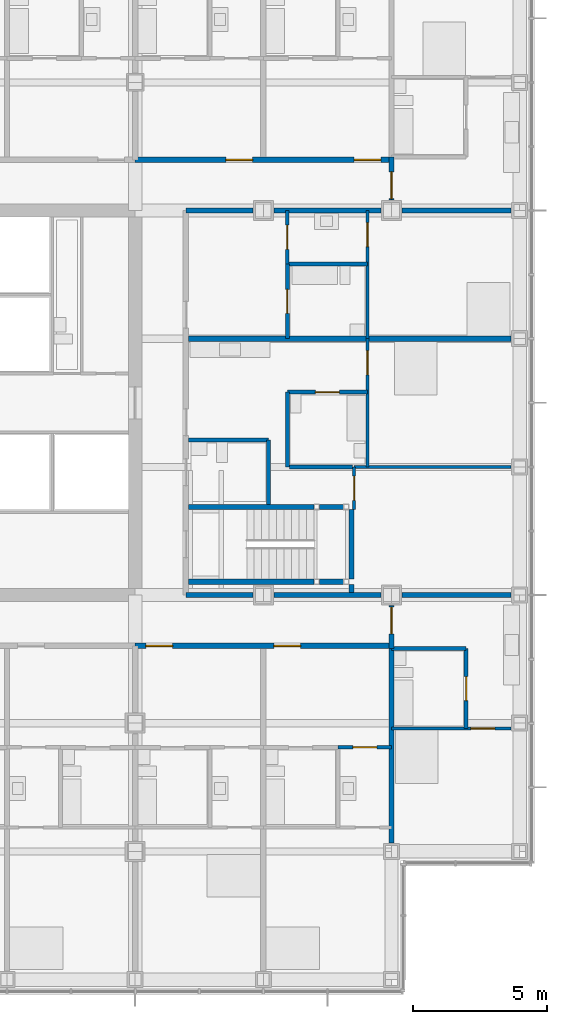
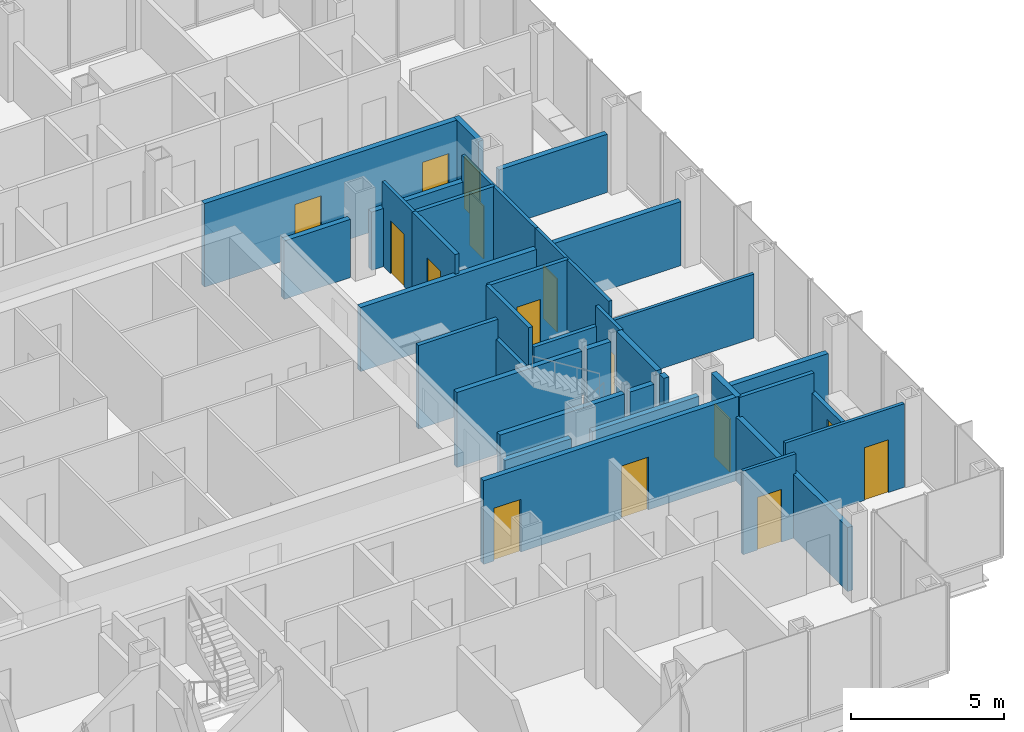
# One storey, part 17 of 22: 34 walls, 15 doors, 15 openings.
"""IFC4 building model written with IfcOpenShell, lengths in metres."""

from ifc_helpers import new_model, si_unit, direction, frame, frame_2d, origin, place, context, subcontext, project, spatial, rectangle, extrude, material, layer, layer_set, type_object, element, fill, save


model = new_model("IFC4")

# Units and contexts
model_context = context("Model", 3, precision=1e-05, world=origin(), true_north=direction((0.0, 1.0)))
body_context = subcontext(model_context, "Body", "Model", "MODEL_VIEW")
ifc_project = project(units=[si_unit("LENGTHUNIT", "METRE"), si_unit("AREAUNIT", "SQUARE_METRE"), si_unit("VOLUMEUNIT", "CUBIC_METRE"), si_unit("PLANEANGLEUNIT", "RADIAN"), si_unit("MASSUNIT", "GRAM", prefix="KILO")], contexts=[model_context])

# Site, building, storey
site_placement = place(None, origin())
site = spatial("IfcSite", under=ifc_project, at=site_placement, CompositionType="ELEMENT")
building_placement = place(site_placement, origin())
building = spatial("IfcBuilding", under=site, at=building_placement, Name="Kvirike Care Tower", CompositionType="ELEMENT")
storey_placement = place(building_placement, frame((0.0, 0.0, 69.0)))
storey = spatial("IfcBuildingStorey", under=building, at=storey_placement, Name="L18", CompositionType="ELEMENT", Elevation=69.0)

# Wall, opening, door
ifc_material_1 = material(Name="Moisture-resistant board partition", Category="gypsum")
ifc_layer_1 = layer(ifc_material_1, 0.14990234375)
ifc_layer_set_1 = layer_set([ifc_layer_1], Name="BATHROOM WALL 150")
wall_type_1 = type_object("IfcWallType", Name="BATHROOM WALL 150", PredefinedType="PARTITIONING", material=ifc_layer_set_1)
wall_1_placement = place(storey_placement, frame((41.199951171875, 23.800048828125, 0.0), z_axis=(0.0, 0.0, 1.0), x_axis=(0.0, 1.0, 0.0)))
wall_1 = element("IfcWall", 1, at=wall_1_placement, inside=storey, type_object=wall_type_1, Name="Bathroom Wall 150 L18", PredefinedType="PARTITIONING", context=body_context, shape_type="SweptSolid", body=[
    extrude(rectangle(XDim=3.0, YDim=0.14990234375, at=frame_2d((1.5, 0.0))), origin(), (0.0, 0.0, 1.0), 2.550048828125),
])
opening_1_placement = place(wall_1_placement, frame((1.050048828125, 0.0, 0.0)))
opening_1 = element("IfcOpeningElement", 2, at=opening_1_placement, cuts=wall_1, Name="Opening 18-061", PredefinedType="OPENING", context=body_context, shape_type="SweptSolid", body=[
    extrude(rectangle(XDim=0.89990234375, YDim=2.10009765625, at=frame_2d((0.449951171875, 1.050048828125))), frame((0.0, 0.08544921875, 0.0), z_axis=(0.0, -1.0, 0.0), x_axis=(1.0, 0.0, 0.0)), (0.0, 0.0, 1.0), 0.1708984375),
])
ifc_material_2 = material(Name="Timber door set", Category="wood")
door_type_1 = type_object("IfcDoorType", Name="BATHROOM DOOR 900", OperationType="SINGLE_SWING_RIGHT", PredefinedType="DOOR", material=ifc_material_2)
door_1_placement = place(opening_1_placement, origin())
door_1 = element("IfcDoor", 3, at=door_1_placement, inside=storey, type_object=door_type_1, Name="Bathroom door", OperationType="SINGLE_SWING_LEFT", OverallHeight=2.10009765625, OverallWidth=0.89990234375, PredefinedType="DOOR", context=body_context, shape_type="SweptSolid", body=[
    extrude(rectangle(XDim=0.89990234375, YDim=2.10009765625, at=frame_2d((0.449951171875, 1.050048828125))), frame((0.0, 0.02197265625, 0.0), z_axis=(0.0, -1.0, 0.0), x_axis=(1.0, 0.0, 0.0)), (0.0, 0.0, 1.0), 0.0439453125),
])
fill(opening_1, door_1)

# Walls
wall_2_placement = place(storey_placement, frame((38.39990234375, 26.800048828125, 0.0), z_axis=(0.0, 0.0, 1.0), x_axis=(1.0, 0.0, 0.0)))
element("IfcWall", 4, at=wall_2_placement, inside=storey, type_object=wall_type_1, Name="Bathroom Wall 150 L18", PredefinedType="PARTITIONING", context=body_context, shape_type="SweptSolid", body=[
    extrude(rectangle(XDim=2.800048828125, YDim=0.14990234375, at=frame_2d((1.39990234375, 0.0))), origin(), (0.0, 0.0, 1.0), 3.330078125),
])
wall_3_placement = place(storey_placement, frame((33.800048828125, 32.199951171875, 0.0), z_axis=(0.0, 0.0, 1.0), x_axis=(0.0, 1.0, 0.0)))
element("IfcWall", 5, at=wall_3_placement, inside=storey, type_object=wall_type_1, Name="Bathroom Wall 150 L18", PredefinedType="PARTITIONING", context=body_context, shape_type="SweptSolid", body=[
    extrude(rectangle(XDim=2.400146484375, YDim=0.14990234375, at=frame_2d((1.2001953125, 0.0))), origin(), (0.0, 0.0, 1.0), 2.550048828125),
])
wall_4_placement = place(storey_placement, frame((33.800048828125, 34.60009765625, 0.0), z_axis=(0.0, 0.0, 1.0), x_axis=(-1.0, 0.0, 0.0)))
element("IfcWall", 6, at=wall_4_placement, inside=storey, type_object=wall_type_1, Name="Bathroom Wall 150 L18", PredefinedType="PARTITIONING", context=body_context, shape_type="SweptSolid", body=[
    extrude(rectangle(XDim=3.0, YDim=0.14990234375, at=frame_2d((1.5, 0.0))), origin(), (0.0, 0.0, 1.0), 3.330078125),
])

# Wall, opening, door
wall_5_placement = place(storey_placement, frame((37.5, 36.39990234375, 0.0), z_axis=(0.0, 0.0, 1.0), x_axis=(-1.0, 0.0, 0.0)))
wall_5 = element("IfcWall", 7, at=wall_5_placement, inside=storey, type_object=wall_type_1, Name="Bathroom Wall 150 L18", PredefinedType="PARTITIONING", context=body_context, shape_type="SweptSolid", body=[
    extrude(rectangle(XDim=3.0, YDim=0.14990234375, at=frame_2d((1.5, 0.0))), origin(), (0.0, 0.0, 1.0), 3.330078125),
])
opening_2_placement = place(wall_5_placement, frame((1.050048828125, 0.0, 0.0)))
opening_2 = element("IfcOpeningElement", 8, at=opening_2_placement, cuts=wall_5, Name="Opening 18-066", PredefinedType="OPENING", context=body_context, shape_type="SweptSolid", body=[
    extrude(rectangle(XDim=0.89990234375, YDim=2.10009765625, at=frame_2d((0.449951171875, 1.050048828125))), frame((0.0, 0.08544921875, 0.0), z_axis=(0.0, -1.0, 0.0), x_axis=(1.0, 0.0, 0.0)), (0.0, 0.0, 1.0), 0.1708984375),
])
door_2_placement = place(opening_2_placement, origin())
door_2 = element("IfcDoor", 9, at=door_2_placement, inside=storey, type_object=door_type_1, Name="Bathroom door", OperationType="SINGLE_SWING_RIGHT", OverallHeight=2.10009765625, OverallWidth=0.89990234375, PredefinedType="DOOR", context=body_context, shape_type="SweptSolid", body=[
    extrude(rectangle(XDim=0.89990234375, YDim=2.10009765625, at=frame_2d((0.449951171875, 1.050048828125))), frame((0.0, 0.02197265625, 0.0), z_axis=(0.0, -1.0, 0.0), x_axis=(1.0, 0.0, 0.0)), (0.0, 0.0, 1.0), 0.0439453125),
])
fill(opening_2, door_2)

# Walls
wall_6_placement = place(storey_placement, frame((34.5, 33.60009765625, 0.0), z_axis=(0.0, 0.0, 1.0), x_axis=(0.0, 1.0, 0.0)))
element("IfcWall", 10, at=wall_6_placement, inside=storey, type_object=wall_type_1, Name="Bathroom Wall 150 L18", PredefinedType="PARTITIONING", context=body_context, shape_type="SweptSolid", body=[
    extrude(rectangle(XDim=2.7998046875, YDim=0.14990234375, at=frame_2d((1.39990234375, 0.0))), origin(), (0.0, 0.0, 1.0), 3.330078125),
])
wall_7_placement = place(storey_placement, frame((37.5, 41.199951171875, 0.0), z_axis=(0.0, 0.0, 1.0), x_axis=(-1.0, 0.0, 0.0)))
element("IfcWall", 11, at=wall_7_placement, inside=storey, type_object=wall_type_1, Name="Bathroom Wall 150 L18", PredefinedType="PARTITIONING", context=body_context, shape_type="SweptSolid", body=[
    extrude(rectangle(XDim=3.0, YDim=0.14990234375, at=frame_2d((1.5, 0.0))), origin(), (0.0, 0.0, 1.0), 3.330078125),
])

# Wall, opening, door
wall_8_placement = place(storey_placement, frame((34.5, 38.39990234375, 0.0), z_axis=(0.0, 0.0, 1.0), x_axis=(0.0, 1.0, 0.0)))
wall_8 = element("IfcWall", 12, at=wall_8_placement, inside=storey, type_object=wall_type_1, Name="Bathroom Wall 150 L18", PredefinedType="PARTITIONING", context=body_context, shape_type="SweptSolid", body=[
    extrude(rectangle(XDim=2.800048828125, YDim=0.14990234375, at=frame_2d((1.39990234375, 0.0))), origin(), (0.0, 0.0, 1.0), 3.330078125),
])
opening_3_placement = place(wall_8_placement, frame((0.949951171875, 0.0, 0.0)))
opening_3 = element("IfcOpeningElement", 13, at=opening_3_placement, cuts=wall_8, Name="Opening 18-069", PredefinedType="OPENING", context=body_context, shape_type="SweptSolid", body=[
    extrude(rectangle(XDim=0.89990234375, YDim=2.10009765625, at=frame_2d((0.449951171875, 1.050048828125))), frame((0.0, 0.08544921875, 0.0), z_axis=(0.0, -1.0, 0.0), x_axis=(1.0, 0.0, 0.0)), (0.0, 0.0, 1.0), 0.1708984375),
])
door_3_placement = place(opening_3_placement, frame((0.89990234375, 0.0, 0.0), z_axis=(0.0, 0.0, 1.0), x_axis=(-1.0, 0.0, 0.0)))
door_3 = element("IfcDoor", 14, at=door_3_placement, inside=storey, type_object=door_type_1, Name="Bathroom door", OperationType="SINGLE_SWING_RIGHT", OverallHeight=2.10009765625, OverallWidth=0.89990234375, PredefinedType="DOOR", context=body_context, shape_type="SweptSolid", body=[
    extrude(rectangle(XDim=0.89990234375, YDim=2.10009765625, at=frame_2d((0.449951171875, 1.050048828125))), frame((0.0, 0.02197265625, 0.0), z_axis=(0.0, -1.0, 0.0), x_axis=(1.0, 0.0, 0.0)), (0.0, 0.0, 1.0), 0.0439453125),
])
fill(opening_3, door_3)

# Wall
wall_9_placement = place(storey_placement, frame((36.93994140625, 33.60009765625, 0.0), z_axis=(0.0, 0.0, 1.0), x_axis=(-1.0, 0.0, 0.0)))
element("IfcWall", 15, at=wall_9_placement, inside=storey, type_object=wall_type_1, Name="Bathroom Wall 150 L18", PredefinedType="PARTITIONING", context=body_context, shape_type="SweptSolid", body=[
    extrude(rectangle(XDim=2.364990234375, YDim=0.14990234375, at=frame_2d((1.1826171875, 0.0))), origin(), (0.0, 0.0, 1.0), 2.550048828125),
])

# Wall, openings, doors
ifc_material_3 = material(Name="Plasterboard corridor wall", Category="gypsum")
ifc_layer_2 = layer(ifc_material_3, 0.199951171875)
ifc_layer_set_2 = layer_set([ifc_layer_2], Name="CORRIDOR WALL 200")
wall_type_2 = type_object("IfcWallType", Name="CORRIDOR WALL 200", PredefinedType="PARTITIONING", material=ifc_layer_set_2)
wall_10_placement = place(storey_placement, frame((28.800048828125, 26.89990234375, 0.0), z_axis=(0.0, 0.0, 1.0), x_axis=(1.0, 0.0, 0.0)))
wall_10 = element("IfcWall", 16, at=wall_10_placement, inside=storey, type_object=wall_type_2, Name="Corridor Wall 200 L18", PredefinedType="PARTITIONING", context=body_context, shape_type="SweptSolid", body=[
    extrude(rectangle(XDim=9.599853515625, YDim=0.199951171875, at=frame_2d((4.7998046875, 0.0))), origin(), (0.0, 0.0, 1.0), 3.330078125),
])
opening_4_placement = place(wall_10_placement, frame((0.39990234375, 0.0, 0.0)))
opening_4 = element("IfcOpeningElement", 17, at=opening_4_placement, cuts=wall_10, Name="Opening 18-063", PredefinedType="OPENING", context=body_context, shape_type="SweptSolid", body=[
    extrude(rectangle(XDim=1.0, YDim=2.10009765625, at=frame_2d((0.5, 1.050048828125))), frame((0.0, 0.110595703125, 0.0), z_axis=(0.0, -1.0, 0.0), x_axis=(1.0, 0.0, 0.0)), (0.0, 0.0, 1.0), 0.220947265625),
])
opening_5_placement = place(wall_10_placement, frame((5.199951171875, 0.0, 0.0)))
opening_5 = element("IfcOpeningElement", 18, at=opening_5_placement, cuts=wall_10, Name="Opening 18-064", PredefinedType="OPENING", context=body_context, shape_type="SweptSolid", body=[
    extrude(rectangle(XDim=1.0, YDim=2.10009765625, at=frame_2d((0.5, 1.050048828125))), frame((0.0, 0.110595703125, 0.0), z_axis=(0.0, -1.0, 0.0), x_axis=(1.0, 0.0, 0.0)), (0.0, 0.0, 1.0), 0.220947265625),
])
ifc_material_4 = material(Name="Timber door set", Category="wood")
door_type_2 = type_object("IfcDoorType", Name="FLAT ENTRANCE DOOR 1000", OperationType="SINGLE_SWING_LEFT", PredefinedType="DOOR", material=ifc_material_4)
door_4_placement = place(opening_4_placement, frame((1.0, 0.0, 0.0), z_axis=(0.0, 0.0, 1.0), x_axis=(-1.0, 0.0, 0.0)))
door_4 = element("IfcDoor", 19, at=door_4_placement, inside=storey, type_object=door_type_2, Name="Studio apartment entrance", OperationType="SINGLE_SWING_RIGHT", OverallHeight=2.10009765625, OverallWidth=1.0, PredefinedType="DOOR", context=body_context, shape_type="SweptSolid", body=[
    extrude(rectangle(XDim=1.0, YDim=2.10009765625, at=frame_2d((0.5, 1.050048828125))), frame((0.0, 0.02685546875, 0.0), z_axis=(0.0, -1.0, 0.0), x_axis=(1.0, 0.0, 0.0)), (0.0, 0.0, 1.0), 0.053955078125),
])
fill(opening_4, door_4)
door_5_placement = place(opening_5_placement, frame((1.0, 0.0, 0.0), z_axis=(0.0, 0.0, 1.0), x_axis=(-1.0, 0.0, 0.0)))
door_5 = element("IfcDoor", 20, at=door_5_placement, inside=storey, type_object=door_type_2, Name="Studio apartment entrance", OperationType="SINGLE_SWING_LEFT", OverallHeight=2.10009765625, OverallWidth=1.0, PredefinedType="DOOR", context=body_context, shape_type="SweptSolid", body=[
    extrude(rectangle(XDim=1.0, YDim=2.10009765625, at=frame_2d((0.5, 1.050048828125))), frame((0.0, 0.02685546875, 0.0), z_axis=(0.0, -1.0, 0.0), x_axis=(1.0, 0.0, 0.0)), (0.0, 0.0, 1.0), 0.053955078125),
])
fill(opening_5, door_5)

# Wall, opening, door
wall_11_placement = place(storey_placement, frame((38.39990234375, 26.800048828125, 0.0), z_axis=(0.0, 0.0, 1.0), x_axis=(0.0, 1.0, 0.0)))
wall_11 = element("IfcWall", 21, at=wall_11_placement, inside=storey, type_object=wall_type_2, Name="Corridor Wall 200 L18", PredefinedType="PARTITIONING", context=body_context, shape_type="SweptSolid", body=[
    extrude(rectangle(XDim=1.60498046875, YDim=0.199951171875, at=frame_2d((0.802490234375, 0.0))), origin(), (0.0, 0.0, 1.0), 3.330078125),
])
opening_6_placement = place(wall_11_placement, frame((0.550048828125, 0.0, 0.0)))
opening_6 = element("IfcOpeningElement", 22, at=opening_6_placement, cuts=wall_11, Name="Opening 18-065", PredefinedType="OPENING", context=body_context, shape_type="SweptSolid", body=[
    extrude(rectangle(XDim=1.0, YDim=2.10009765625, at=frame_2d((0.5, 1.050048828125))), frame((0.0, 0.110595703125, 0.0), z_axis=(0.0, -1.0, 0.0), x_axis=(1.0, 0.0, 0.0)), (0.0, 0.0, 1.0), 0.220947265625),
])
door_6_placement = place(opening_6_placement, frame((1.0, 0.0, 0.0), z_axis=(0.0, 0.0, 1.0), x_axis=(-1.0, 0.0, 0.0)))
door_6 = element("IfcDoor", 23, at=door_6_placement, inside=storey, type_object=door_type_2, Name="Studio apartment entrance", OperationType="SINGLE_SWING_RIGHT", OverallHeight=2.10009765625, OverallWidth=1.0, PredefinedType="DOOR", context=body_context, shape_type="SweptSolid", body=[
    extrude(rectangle(XDim=1.0, YDim=2.10009765625, at=frame_2d((0.5, 1.050048828125))), frame((0.0, 0.02685546875, 0.0), z_axis=(0.0, -1.0, 0.0), x_axis=(1.0, 0.0, 0.0)), (0.0, 0.0, 1.0), 0.053955078125),
])
fill(opening_6, door_6)

# Wall, openings, doors
wall_12_placement = place(storey_placement, frame((38.39990234375, 45.10009765625, 0.0), z_axis=(0.0, 0.0, 1.0), x_axis=(-1.0, 0.0, 0.0)))
wall_12 = element("IfcWall", 24, at=wall_12_placement, inside=storey, type_object=wall_type_2, Name="Corridor Wall 200 L18", PredefinedType="PARTITIONING", context=body_context, shape_type="SweptSolid", body=[
    extrude(rectangle(XDim=9.599853515625, YDim=0.199951171875, at=frame_2d((4.7998046875, 0.0))), origin(), (0.0, 0.0, 1.0), 3.330078125),
])
opening_7_placement = place(wall_12_placement, frame((0.39990234375, 0.0, 0.0)))
opening_7 = element("IfcOpeningElement", 25, at=opening_7_placement, cuts=wall_12, Name="Opening 18-084", PredefinedType="OPENING", context=body_context, shape_type="SweptSolid", body=[
    extrude(rectangle(XDim=1.0, YDim=2.10009765625, at=frame_2d((0.5, 1.050048828125))), frame((0.0, 0.110595703125, 0.0), z_axis=(0.0, -1.0, 0.0), x_axis=(1.0, 0.0, 0.0)), (0.0, 0.0, 1.0), 0.220947265625),
])
opening_8_placement = place(wall_12_placement, frame((5.199951171875, 0.0, 0.0)))
opening_8 = element("IfcOpeningElement", 26, at=opening_8_placement, cuts=wall_12, Name="Opening 18-085", PredefinedType="OPENING", context=body_context, shape_type="SweptSolid", body=[
    extrude(rectangle(XDim=1.0, YDim=2.10009765625, at=frame_2d((0.5, 1.050048828125))), frame((0.0, 0.110595703125, 0.0), z_axis=(0.0, -1.0, 0.0), x_axis=(1.0, 0.0, 0.0)), (0.0, 0.0, 1.0), 0.220947265625),
])
door_7_placement = place(opening_7_placement, frame((1.0, 0.0, 0.0), z_axis=(0.0, 0.0, 1.0), x_axis=(-1.0, 0.0, 0.0)))
door_7 = element("IfcDoor", 27, at=door_7_placement, inside=storey, type_object=door_type_2, Name="Studio apartment entrance", OperationType="SINGLE_SWING_LEFT", OverallHeight=2.10009765625, OverallWidth=1.0, PredefinedType="DOOR", context=body_context, shape_type="SweptSolid", body=[
    extrude(rectangle(XDim=1.0, YDim=2.10009765625, at=frame_2d((0.5, 1.050048828125))), frame((0.0, 0.02685546875, 0.0), z_axis=(0.0, -1.0, 0.0), x_axis=(1.0, 0.0, 0.0)), (0.0, 0.0, 1.0), 0.053955078125),
])
fill(opening_7, door_7)
door_8_placement = place(opening_8_placement, frame((1.0, 0.0, 0.0), z_axis=(0.0, 0.0, 1.0), x_axis=(-1.0, 0.0, 0.0)))
door_8 = element("IfcDoor", 28, at=door_8_placement, inside=storey, type_object=door_type_2, Name="Studio apartment entrance", OperationType="SINGLE_SWING_LEFT", OverallHeight=2.10009765625, OverallWidth=1.0, PredefinedType="DOOR", context=body_context, shape_type="SweptSolid", body=[
    extrude(rectangle(XDim=1.0, YDim=2.10009765625, at=frame_2d((0.5, 1.050048828125))), frame((0.0, 0.02685546875, 0.0), z_axis=(0.0, -1.0, 0.0), x_axis=(1.0, 0.0, 0.0)), (0.0, 0.0, 1.0), 0.053955078125),
])
fill(opening_8, door_8)

# Wall, opening, door
wall_13_placement = place(storey_placement, frame((38.39990234375, 45.199951171875, 0.0), z_axis=(0.0, 0.0, 1.0), x_axis=(0.0, -1.0, 0.0)))
wall_13 = element("IfcWall", 29, at=wall_13_placement, inside=storey, type_object=wall_type_2, Name="Corridor Wall 200 L18", PredefinedType="PARTITIONING", context=body_context, shape_type="SweptSolid", body=[
    extrude(rectangle(XDim=1.60498046875, YDim=0.199951171875, at=frame_2d((0.802490234375, 0.0))), origin(), (0.0, 0.0, 1.0), 3.330078125),
])
opening_9_placement = place(wall_13_placement, frame((0.550048828125, 0.0, 0.0)))
opening_9 = element("IfcOpeningElement", 30, at=opening_9_placement, cuts=wall_13, Name="Opening 18-086", PredefinedType="OPENING", context=body_context, shape_type="SweptSolid", body=[
    extrude(rectangle(XDim=1.0, YDim=2.10009765625, at=frame_2d((0.5, 1.050048828125))), frame((0.0, 0.110595703125, 0.0), z_axis=(0.0, -1.0, 0.0), x_axis=(1.0, 0.0, 0.0)), (0.0, 0.0, 1.0), 0.220947265625),
])
door_9_placement = place(opening_9_placement, origin())
door_9 = element("IfcDoor", 31, at=door_9_placement, inside=storey, type_object=door_type_2, Name="Studio apartment entrance", OperationType="SINGLE_SWING_LEFT", OverallHeight=2.10009765625, OverallWidth=1.0, PredefinedType="DOOR", context=body_context, shape_type="SweptSolid", body=[
    extrude(rectangle(XDim=1.0, YDim=2.10009765625, at=frame_2d((0.5, 1.050048828125))), frame((0.0, 0.02685546875, 0.0), z_axis=(0.0, -1.0, 0.0), x_axis=(1.0, 0.0, 0.0)), (0.0, 0.0, 1.0), 0.053955078125),
])
fill(opening_9, door_9)

ifc_material_5 = material(Name="Plasterboard partition", Category="gypsum")
ifc_layer_3 = layer(ifc_material_5, 0.1201171875)
ifc_layer_set_3 = layer_set([ifc_layer_3], Name="PARTITION 120")
wall_type_3 = type_object("IfcWallType", Name="PARTITION 120", PredefinedType="PARTITIONING", material=ifc_layer_set_3)
wall_14_placement = place(storey_placement, frame((36.39990234375, 23.10009765625, 0.0), z_axis=(0.0, 0.0, 1.0), x_axis=(1.0, 0.0, 0.0)))
wall_14 = element("IfcWall", 32, at=wall_14_placement, inside=storey, type_object=wall_type_3, Name="Partition 120 L18", PredefinedType="PARTITIONING", context=body_context, shape_type="SweptSolid", body=[
    extrude(rectangle(XDim=2.0, YDim=0.1201171875, at=frame_2d((1.0, 0.0))), origin(), (0.0, 0.0, 1.0), 3.330078125),
])
opening_10_placement = place(wall_14_placement, frame((0.550048828125, 0.0, 0.0)))
opening_10 = element("IfcOpeningElement", 33, at=opening_10_placement, cuts=wall_14, Name="Opening 18-059", PredefinedType="OPENING", context=body_context, shape_type="SweptSolid", body=[
    extrude(rectangle(XDim=0.89990234375, YDim=2.10009765625, at=frame_2d((0.449951171875, 1.050048828125))), frame((0.0, 0.070556640625, 0.0), z_axis=(0.0, -1.0, 0.0), x_axis=(1.0, 0.0, 0.0)), (0.0, 0.0, 1.0), 0.14111328125),
])
ifc_material_6 = material(Name="Timber door set", Category="wood")
door_type_3 = type_object("IfcDoorType", Name="INTERNAL DOOR 900", OperationType="SINGLE_SWING_LEFT", PredefinedType="DOOR", material=ifc_material_6)
door_10_placement = place(opening_10_placement, frame((0.89990234375, 0.0, 0.0), z_axis=(0.0, 0.0, 1.0), x_axis=(-1.0, 0.0, 0.0)))
door_10 = element("IfcDoor", 34, at=door_10_placement, inside=storey, type_object=door_type_3, Name="Kitchen door", OperationType="SINGLE_SWING_RIGHT", OverallHeight=2.10009765625, OverallWidth=0.89990234375, PredefinedType="DOOR", context=body_context, shape_type="SweptSolid", body=[
    extrude(rectangle(XDim=0.89990234375, YDim=2.10009765625, at=frame_2d((0.449951171875, 1.050048828125))), frame((0.0, 0.02197265625, 0.0), z_axis=(0.0, -1.0, 0.0), x_axis=(1.0, 0.0, 0.0)), (0.0, 0.0, 1.0), 0.0439453125),
])
fill(opening_10, door_10)

wall_15_placement = place(storey_placement, frame((38.39990234375, 23.800048828125, 0.0), z_axis=(0.0, 0.0, 1.0), x_axis=(1.0, 0.0, 0.0)))
wall_15 = element("IfcWall", 35, at=wall_15_placement, inside=storey, type_object=wall_type_3, Name="Partition 120 L18", PredefinedType="PARTITIONING", context=body_context, shape_type="SweptSolid", body=[
    extrude(rectangle(XDim=4.47998046875, YDim=0.1201171875, at=frame_2d((2.239990234375, 0.0))), origin(), (0.0, 0.0, 1.0), 3.330078125),
])
opening_11_placement = place(wall_15_placement, frame((2.97509765625, 0.0, 0.0)))
opening_11 = element("IfcOpeningElement", 36, at=opening_11_placement, cuts=wall_15, Name="Opening 18-062", PredefinedType="OPENING", context=body_context, shape_type="SweptSolid", body=[
    extrude(rectangle(XDim=0.89990234375, YDim=2.10009765625, at=frame_2d((0.449951171875, 1.050048828125))), frame((0.0, 0.070556640625, 0.0), z_axis=(0.0, -1.0, 0.0), x_axis=(1.0, 0.0, 0.0)), (0.0, 0.0, 1.0), 0.14111328125),
])
door_11_placement = place(opening_11_placement, origin())
door_11 = element("IfcDoor", 37, at=door_11_placement, inside=storey, type_object=door_type_3, Name="Studio apartment living room door", OperationType="SINGLE_SWING_RIGHT", OverallHeight=2.10009765625, OverallWidth=0.89990234375, PredefinedType="DOOR", context=body_context, shape_type="SweptSolid", body=[
    extrude(rectangle(XDim=0.89990234375, YDim=2.10009765625, at=frame_2d((0.449951171875, 1.050048828125))), frame((0.0, 0.02197265625, 0.0), z_axis=(0.0, -1.0, 0.0), x_axis=(1.0, 0.0, 0.0)), (0.0, 0.0, 1.0), 0.0439453125),
])
fill(opening_11, door_11)

wall_16_placement = place(storey_placement, frame((37.0, 32.0, 0.0), z_axis=(0.0, 0.0, 1.0), x_axis=(0.0, 1.0, 0.0)))
wall_16 = element("IfcWall", 38, at=wall_16_placement, inside=storey, type_object=wall_type_3, Name="Partition 120 L18", PredefinedType="PARTITIONING", context=body_context, shape_type="SweptSolid", body=[
    extrude(rectangle(XDim=1.60009765625, YDim=0.1201171875, at=frame_2d((0.800048828125, 0.0))), origin(), (0.0, 0.0, 1.0), 3.330078125),
])
opening_12_placement = place(wall_16_placement, frame((0.35009765625, 0.0, 0.0)))
opening_12 = element("IfcOpeningElement", 39, at=opening_12_placement, cuts=wall_16, Name="Opening 18-067", PredefinedType="OPENING", context=body_context, shape_type="SweptSolid", body=[
    extrude(rectangle(XDim=0.89990234375, YDim=2.10009765625, at=frame_2d((0.449951171875, 1.050048828125))), frame((0.0, 0.070556640625, 0.0), z_axis=(0.0, -1.0, 0.0), x_axis=(1.0, 0.0, 0.0)), (0.0, 0.0, 1.0), 0.14111328125),
])
door_12_placement = place(opening_12_placement, origin())
door_12 = element("IfcDoor", 40, at=door_12_placement, inside=storey, type_object=door_type_3, Name="Apartment living room door", OperationType="SINGLE_SWING_RIGHT", OverallHeight=2.10009765625, OverallWidth=0.89990234375, PredefinedType="DOOR", context=body_context, shape_type="SweptSolid", body=[
    extrude(rectangle(XDim=0.89990234375, YDim=2.10009765625, at=frame_2d((0.449951171875, 1.050048828125))), frame((0.0, 0.02197265625, 0.0), z_axis=(0.0, -1.0, 0.0), x_axis=(1.0, 0.0, 0.0)), (0.0, 0.0, 1.0), 0.0439453125),
])
fill(opening_12, door_12)

wall_17_placement = place(storey_placement, frame((37.5, 33.60009765625, 0.0), z_axis=(0.0, 0.0, 1.0), x_axis=(0.0, 1.0, 0.0)))
wall_17 = element("IfcWall", 41, at=wall_17_placement, inside=storey, type_object=wall_type_3, Name="Partition 120 L18", PredefinedType="PARTITIONING", context=body_context, shape_type="SweptSolid", body=[
    extrude(rectangle(XDim=4.7998046875, YDim=0.1201171875, at=frame_2d((2.39990234375, 0.0))), origin(), (0.0, 0.0, 1.0), 3.330078125),
])
opening_13_placement = place(wall_17_placement, frame((3.449951171875, 0.0, 0.0)))
opening_13 = element("IfcOpeningElement", 42, at=opening_13_placement, cuts=wall_17, Name="Opening 18-068", PredefinedType="OPENING", context=body_context, shape_type="SweptSolid", body=[
    extrude(rectangle(XDim=0.89990234375, YDim=2.10009765625, at=frame_2d((0.449951171875, 1.050048828125))), frame((0.0, 0.070556640625, 0.0), z_axis=(0.0, -1.0, 0.0), x_axis=(1.0, 0.0, 0.0)), (0.0, 0.0, 1.0), 0.14111328125),
])
door_13_placement = place(opening_13_placement, origin())
door_13 = element("IfcDoor", 43, at=door_13_placement, inside=storey, type_object=door_type_3, Name="Apartment bedroom door", OperationType="SINGLE_SWING_LEFT", OverallHeight=2.10009765625, OverallWidth=0.89990234375, PredefinedType="DOOR", context=body_context, shape_type="SweptSolid", body=[
    extrude(rectangle(XDim=0.89990234375, YDim=2.10009765625, at=frame_2d((0.449951171875, 1.050048828125))), frame((0.0, 0.02197265625, 0.0), z_axis=(0.0, -1.0, 0.0), x_axis=(1.0, 0.0, 0.0)), (0.0, 0.0, 1.0), 0.0439453125),
])
fill(opening_13, door_13)

# Wall
wall_18_placement = place(storey_placement, frame((42.8798828125, 33.60009765625, 0.0), z_axis=(0.0, 0.0, 1.0), x_axis=(-1.0, 0.0, 0.0)))
element("IfcWall", 44, at=wall_18_placement, inside=storey, type_object=wall_type_3, Name="Partition 120 L18", PredefinedType="PARTITIONING", context=body_context, shape_type="SweptSolid", body=[
    extrude(rectangle(XDim=5.8798828125, YDim=0.1201171875, at=frame_2d((2.93994140625, 0.0))), origin(), (0.0, 0.0, 1.0), 2.550048828125),
])

# Wall, opening, door
wall_19_placement = place(storey_placement, frame((34.5, 41.199951171875, 0.0), z_axis=(0.0, 0.0, 1.0), x_axis=(0.0, 1.0, 0.0)))
wall_19 = element("IfcWall", 45, at=wall_19_placement, inside=storey, type_object=wall_type_3, Name="Partition 120 L18", PredefinedType="PARTITIONING", context=body_context, shape_type="SweptSolid", body=[
    extrude(rectangle(XDim=2.0, YDim=0.1201171875, at=frame_2d((1.0, 0.0))), origin(), (0.0, 0.0, 1.0), 3.330078125),
])
opening_14_placement = place(wall_19_placement, frame((0.550048828125, 0.0, 0.0)))
opening_14 = element("IfcOpeningElement", 46, at=opening_14_placement, cuts=wall_19, Name="Opening 18-070", PredefinedType="OPENING", context=body_context, shape_type="SweptSolid", body=[
    extrude(rectangle(XDim=0.89990234375, YDim=2.10009765625, at=frame_2d((0.449951171875, 1.050048828125))), frame((0.0, 0.070556640625, 0.0), z_axis=(0.0, -1.0, 0.0), x_axis=(1.0, 0.0, 0.0)), (0.0, 0.0, 1.0), 0.14111328125),
])
door_14_placement = place(opening_14_placement, frame((0.89990234375, 0.0, 0.0), z_axis=(0.0, 0.0, 1.0), x_axis=(-1.0, 0.0, 0.0)))
door_14 = element("IfcDoor", 47, at=door_14_placement, inside=storey, type_object=door_type_3, Name="Kitchen door", OperationType="SINGLE_SWING_LEFT", OverallHeight=2.10009765625, OverallWidth=0.89990234375, PredefinedType="DOOR", context=body_context, shape_type="SweptSolid", body=[
    extrude(rectangle(XDim=0.89990234375, YDim=2.10009765625, at=frame_2d((0.449951171875, 1.050048828125))), frame((0.0, 0.02197265625, 0.0), z_axis=(0.0, -1.0, 0.0), x_axis=(1.0, 0.0, 0.0)), (0.0, 0.0, 1.0), 0.0439453125),
])
fill(opening_14, door_14)

wall_20_placement = place(storey_placement, frame((37.5, 38.39990234375, 0.0), z_axis=(0.0, 0.0, 1.0), x_axis=(0.0, 1.0, 0.0)))
wall_20 = element("IfcWall", 48, at=wall_20_placement, inside=storey, type_object=wall_type_3, Name="Partition 120 L18", PredefinedType="PARTITIONING", context=body_context, shape_type="SweptSolid", body=[
    extrude(rectangle(XDim=4.800048828125, YDim=0.1201171875, at=frame_2d((2.39990234375, 0.0))), origin(), (0.0, 0.0, 1.0), 3.330078125),
])
opening_15_placement = place(wall_20_placement, frame((3.449951171875, 0.0, 0.0)))
opening_15 = element("IfcOpeningElement", 49, at=opening_15_placement, cuts=wall_20, Name="Opening 18-071", PredefinedType="OPENING", context=body_context, shape_type="SweptSolid", body=[
    extrude(rectangle(XDim=0.89990234375, YDim=2.10009765625, at=frame_2d((0.449951171875, 1.050048828125))), frame((0.0, 0.070556640625, 0.0), z_axis=(0.0, -1.0, 0.0), x_axis=(1.0, 0.0, 0.0)), (0.0, 0.0, 1.0), 0.14111328125),
])
door_15_placement = place(opening_15_placement, origin())
door_15 = element("IfcDoor", 50, at=door_15_placement, inside=storey, type_object=door_type_3, Name="Studio apartment living room door", OperationType="SINGLE_SWING_LEFT", OverallHeight=2.10009765625, OverallWidth=0.89990234375, PredefinedType="DOOR", context=body_context, shape_type="SweptSolid", body=[
    extrude(rectangle(XDim=0.89990234375, YDim=2.10009765625, at=frame_2d((0.449951171875, 1.050048828125))), frame((0.0, 0.02197265625, 0.0), z_axis=(0.0, -1.0, 0.0), x_axis=(1.0, 0.0, 0.0)), (0.0, 0.0, 1.0), 0.0439453125),
])
fill(opening_15, door_15)

# Walls
ifc_material_7 = material(Name="Plasterboard party wall", Category="gypsum")
ifc_layer_4 = layer(ifc_material_7, 0.199951171875)
ifc_layer_set_4 = layer_set([ifc_layer_4], Name="PARTY WALL 200")
wall_type_4 = type_object("IfcWallType", Name="PARTY WALL 200", PredefinedType="PARTITIONING", material=ifc_layer_set_4)
wall_21_placement = place(storey_placement, frame((38.39990234375, 19.52001953125, 0.0), z_axis=(0.0, 0.0, 1.0), x_axis=(0.0, 1.0, 0.0)))
element("IfcWall", 51, at=wall_21_placement, inside=storey, type_object=wall_type_4, Name="Party Wall 200 L18", PredefinedType="PARTITIONING", context=body_context, shape_type="SweptSolid", body=[
    extrude(rectangle(XDim=7.280029296875, YDim=0.199951171875, at=frame_2d((3.64013671875, 0.0))), origin(), (0.0, 0.0, 1.0), 2.550048828125),
])
wall_22_placement = place(storey_placement, frame((42.8798828125, 38.39990234375, 0.0), z_axis=(0.0, 0.0, 1.0), x_axis=(-1.0, 0.0, 0.0)))
element("IfcWall", 52, at=wall_22_placement, inside=storey, type_object=wall_type_4, Name="Party Wall 200 L18", PredefinedType="PARTITIONING", context=body_context, shape_type="SweptSolid", body=[
    extrude(rectangle(XDim=12.079833984375, YDim=0.199951171875, at=frame_2d((6.0400390625, 0.0))), origin(), (0.0, 0.0, 1.0), 2.550048828125),
])
wall_23_placement = place(storey_placement, frame((42.8798828125, 28.800048828125, 0.0), z_axis=(0.0, 0.0, 1.0), x_axis=(-1.0, 0.0, 0.0)))
element("IfcWall", 53, at=wall_23_placement, inside=storey, type_object=wall_type_4, Name="Party Wall 200 L18", PredefinedType="PARTITIONING", context=body_context, shape_type="SweptSolid", body=[
    extrude(rectangle(XDim=4.0849609375, YDim=0.199951171875, at=frame_2d((2.04248046875, 0.0))), origin(), (0.0, 0.0, 1.0), 2.320068359375),
])
wall_24_placement = place(storey_placement, frame((38.0048828125, 28.800048828125, 0.0), z_axis=(0.0, 0.0, 1.0), x_axis=(-1.0, 0.0, 0.0)))
element("IfcWall", 54, at=wall_24_placement, inside=storey, type_object=wall_type_4, Name="Party Wall 200 L18", PredefinedType="PARTITIONING", context=body_context, shape_type="SweptSolid", body=[
    extrude(rectangle(XDim=4.009765625, YDim=0.199951171875, at=frame_2d((2.0048828125, 0.0))), origin(), (0.0, 0.0, 1.0), 2.320068359375),
])
wall_25_placement = place(storey_placement, frame((33.205078125, 28.800048828125, 0.0), z_axis=(0.0, 0.0, 1.0), x_axis=(-1.0, 0.0, 0.0)))
element("IfcWall", 55, at=wall_25_placement, inside=storey, type_object=wall_type_4, Name="Party Wall 200 L18", PredefinedType="PARTITIONING", context=body_context, shape_type="SweptSolid", body=[
    extrude(rectangle(XDim=2.505126953125, YDim=0.199951171875, at=frame_2d((1.25244140625, 0.0))), origin(), (0.0, 0.0, 1.0), 2.320068359375),
])
wall_26_placement = place(storey_placement, frame((42.8798828125, 43.199951171875, 0.0), z_axis=(0.0, 0.0, 1.0), x_axis=(-1.0, 0.0, 0.0)))
element("IfcWall", 56, at=wall_26_placement, inside=storey, type_object=wall_type_4, Name="Party Wall 200 L18", PredefinedType="PARTITIONING", context=body_context, shape_type="SweptSolid", body=[
    extrude(rectangle(XDim=4.0849609375, YDim=0.199951171875, at=frame_2d((2.04248046875, 0.0))), origin(), (0.0, 0.0, 1.0), 2.320068359375),
])
wall_27_placement = place(storey_placement, frame((38.0048828125, 43.199951171875, 0.0), z_axis=(0.0, 0.0, 1.0), x_axis=(-1.0, 0.0, 0.0)))
element("IfcWall", 57, at=wall_27_placement, inside=storey, type_object=wall_type_4, Name="Party Wall 200 L18", PredefinedType="PARTITIONING", context=body_context, shape_type="SweptSolid", body=[
    extrude(rectangle(XDim=4.009765625, YDim=0.199951171875, at=frame_2d((2.0048828125, 0.0))), origin(), (0.0, 0.0, 1.0), 2.320068359375),
])
wall_28_placement = place(storey_placement, frame((33.205078125, 43.199951171875, 0.0), z_axis=(0.0, 0.0, 1.0), x_axis=(-1.0, 0.0, 0.0)))
element("IfcWall", 58, at=wall_28_placement, inside=storey, type_object=wall_type_4, Name="Party Wall 200 L18", PredefinedType="PARTITIONING", context=body_context, shape_type="SweptSolid", body=[
    extrude(rectangle(XDim=2.505126953125, YDim=0.199951171875, at=frame_2d((1.25244140625, 0.0))), origin(), (0.0, 0.0, 1.0), 2.320068359375),
])
ifc_material_8 = material(Name="Concrete C40/50", Category="concrete")
ifc_layer_5 = layer(ifc_material_8, 0.199951171875)
ifc_layer_set_5 = layer_set([ifc_layer_5], Name="STAIR WALL 200")
wall_type_5 = type_object("IfcWallType", Name="STAIR WALL 200", PredefinedType="SOLIDWALL", material=ifc_layer_set_5)
wall_29_placement = place(storey_placement, frame((36.60009765625, 29.300048828125, 0.0), z_axis=(0.0, 0.0, 1.0), x_axis=(-1.0, 0.0, 0.0)))
element("IfcWall", 59, at=wall_29_placement, inside=storey, type_object=wall_type_5, Name="Stair Wall 200 L18", PredefinedType="SOLIDWALL", context=body_context, shape_type="SweptSolid", body=[
    extrude(rectangle(XDim=0.900146484375, YDim=0.199951171875, at=frame_2d((0.4501953125, 0.0))), origin(), (0.0, 0.0, 1.0), 2.989990234375),
])
wall_30_placement = place(storey_placement, frame((35.5, 29.300048828125, 0.0), z_axis=(0.0, 0.0, 1.0), x_axis=(-1.0, 0.0, 0.0)))
element("IfcWall", 60, at=wall_30_placement, inside=storey, type_object=wall_type_5, Name="Stair Wall 200 L18", PredefinedType="SOLIDWALL", context=body_context, shape_type="SweptSolid", body=[
    extrude(rectangle(XDim=4.699951171875, YDim=0.199951171875, at=frame_2d((2.35009765625, 0.0))), origin(), (0.0, 0.0, 1.0), 2.989990234375),
])
wall_31_placement = place(storey_placement, frame((36.60009765625, 32.10009765625, 0.0), z_axis=(0.0, 0.0, 1.0), x_axis=(-1.0, 0.0, 0.0)))
element("IfcWall", 61, at=wall_31_placement, inside=storey, type_object=wall_type_5, Name="Stair Wall 200 L18", PredefinedType="SOLIDWALL", context=body_context, shape_type="SweptSolid", body=[
    extrude(rectangle(XDim=0.900146484375, YDim=0.199951171875, at=frame_2d((0.4501953125, 0.0))), origin(), (0.0, 0.0, 1.0), 2.989990234375),
])
wall_32_placement = place(storey_placement, frame((35.5, 32.10009765625, 0.0), z_axis=(0.0, 0.0, 1.0), x_axis=(-1.0, 0.0, 0.0)))
element("IfcWall", 62, at=wall_32_placement, inside=storey, type_object=wall_type_5, Name="Stair Wall 200 L18", PredefinedType="SOLIDWALL", context=body_context, shape_type="SweptSolid", body=[
    extrude(rectangle(XDim=4.699951171875, YDim=0.199951171875, at=frame_2d((2.35009765625, 0.0))), origin(), (0.0, 0.0, 1.0), 2.989990234375),
])
wall_33_placement = place(storey_placement, frame((36.89990234375, 28.89990234375, 0.0), z_axis=(0.0, 0.0, 1.0), x_axis=(0.0, 1.0, 0.0)))
element("IfcWall", 63, at=wall_33_placement, inside=storey, type_object=wall_type_5, Name="Stair Wall 200 L18", PredefinedType="SOLIDWALL", context=body_context, shape_type="SweptSolid", body=[
    extrude(rectangle(XDim=0.300048828125, YDim=0.199951171875, at=frame_2d((0.14990234375, 0.0))), origin(), (0.0, 0.0, 1.0), 3.330078125),
])
wall_34_placement = place(storey_placement, frame((36.89990234375, 29.39990234375, 0.0), z_axis=(0.0, 0.0, 1.0), x_axis=(0.0, 1.0, 0.0)))
element("IfcWall", 64, at=wall_34_placement, inside=storey, type_object=wall_type_5, Name="Stair Wall 200 L18", PredefinedType="SOLIDWALL", context=body_context, shape_type="SweptSolid", body=[
    extrude(rectangle(XDim=2.60009765625, YDim=0.199951171875, at=frame_2d((1.300048828125, 0.0))), origin(), (0.0, 0.0, 1.0), 3.330078125),
])

save(model, "model.ifc")
